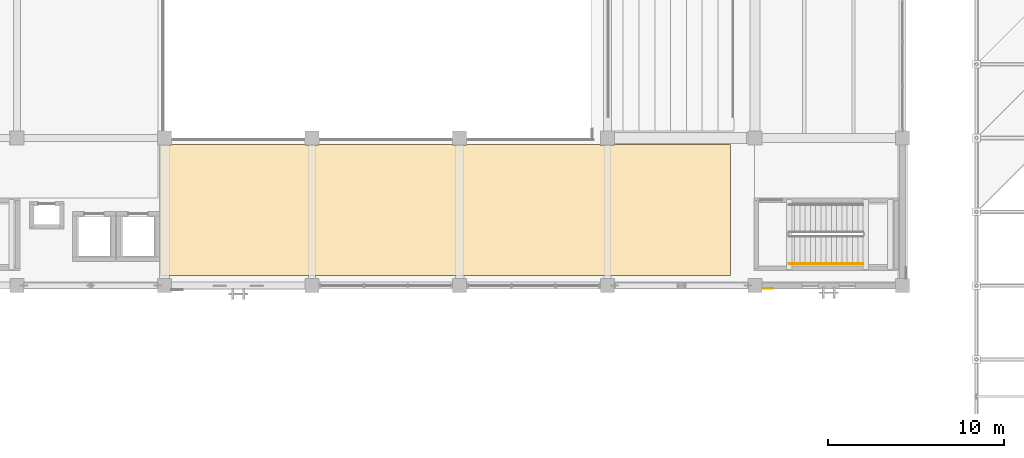
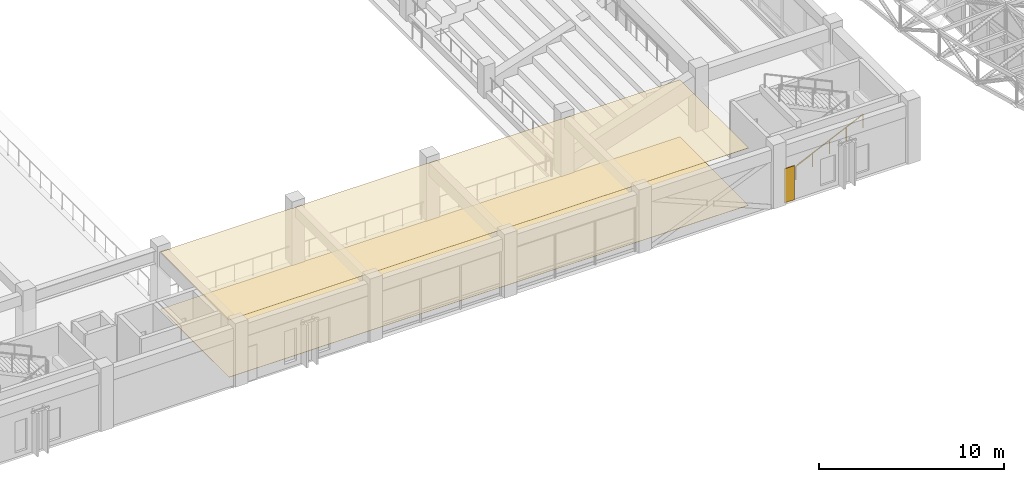
# One storey, part 104 of 132: 3 coverings, 1 railing.
"""IFC4 building model written with IfcOpenShell, lengths in metres."""

from ifc_helpers import new_model, si_unit, direction, frame, origin, origin_2d, place, context, subcontext, project, spatial, polyline, circle, outline, extrude, material, layer, layer_set, type_object, element, save


model = new_model("IFC4")

# Units and contexts
model_context = context("Model", 3, precision=1e-05, world=origin(), true_north=direction((0.0, 1.0)))
body_context = subcontext(model_context, "Body", "Model", "MODEL_VIEW")
ifc_project = project(units=[si_unit("LENGTHUNIT", "METRE"), si_unit("AREAUNIT", "SQUARE_METRE"), si_unit("VOLUMEUNIT", "CUBIC_METRE"), si_unit("PLANEANGLEUNIT", "RADIAN"), si_unit("MASSUNIT", "GRAM", prefix="KILO")], contexts=[model_context])

# Site, building, storey
site_placement = place(None, origin())
site = spatial("IfcSite", under=ifc_project, at=site_placement, CompositionType="ELEMENT")
building_placement = place(site_placement, origin())
building = spatial("IfcBuilding", under=site, at=building_placement, Name="Cumbredor Promenade Congress Hotel", CompositionType="ELEMENT")
storey_placement = place(building_placement, frame((0.0, 0.0, 7.56005859375)))
storey = spatial("IfcBuildingStorey", under=building, at=storey_placement, Name="L02", CompositionType="ELEMENT", Elevation=7.56005859375)

# Coverings
ifc_material_1 = material(Name="Acoustic mineral-fiber and gypsum ceiling")
ifc_layer_1 = layer(ifc_material_1, 0.02197265625, Name="Acoustic mineral-fiber and gypsum ceiling")
ifc_layer_set_1 = layer_set([ifc_layer_1], Name="Acoustic mineral-fiber and gypsum ceiling")
covering_type_1 = type_object("IfcCoveringType", Name="Acoustic Perforated Gypsum Ceiling CLG-02 22mm", PredefinedType="CEILING", material=ifc_layer_set_1)
covering_1_placement = place(storey_placement, frame((0.0, 0.0, 3.77783203125)))
element("IfcCovering", 1, at=covering_1_placement, inside=storey, type_object=covering_type_1, Name="L02 Plenary South Concourse Corridor Acoustic Ceiling", PredefinedType="CEILING", context=body_context, shape_type="SweptSolid", body=[
    extrude(outline(polyline([(24.97998046875, 16.39501953125), (25.60498046875, 16.39501953125), (25.60498046875, 16.419921875), (33.195068359375, 16.419921875), (33.195068359375, 16.39501953125), (34.0048828125, 16.39501953125), (34.0048828125, 16.419921875), (41.594970703125, 16.419921875), (41.594970703125, 16.39501953125), (42.405029296875, 16.39501953125), (42.405029296875, 16.419921875), (49.9951171875, 16.419921875), (49.9951171875, 16.39501953125), (50.804931640625, 16.39501953125), (50.804931640625, 16.419921875), (57.419921875, 16.419921875), (57.419921875, 8.97998046875), (24.97998046875, 8.97998046875), (24.97998046875, 16.39501953125)])), origin(), (0.0, 0.0, 1.0), 0.022216796875),
])
ifc_material_2 = material(Name="Porcelain stoneware tile", Category="masonry")
ifc_layer_2 = layer(ifc_material_2, 0.02001953125, Name="Porcelain stoneware tile", Category="masonry")
ifc_layer_set_2 = layer_set([ifc_layer_2], Name="Porcelain stoneware tile")
covering_type_2 = type_object("IfcCoveringType", Name="Porcelain Stoneware Flooring FLR-01 20mm", PredefinedType="FLOORING", material=ifc_layer_set_2)
covering_2_placement = place(storey_placement, origin())
element("IfcCovering", 2, at=covering_2_placement, inside=storey, type_object=covering_type_2, Name="L02 Plenary South Concourse Corridor Porcelain Flooring", PredefinedType="FLOORING", context=body_context, shape_type="SweptSolid", body=[
    extrude(outline(polyline([(24.97998046875, 16.39501953125), (25.60498046875, 16.39501953125), (25.60498046875, 16.419921875), (33.195068359375, 16.419921875), (33.195068359375, 16.39501953125), (34.0048828125, 16.39501953125), (34.0048828125, 16.419921875), (41.594970703125, 16.419921875), (41.594970703125, 16.39501953125), (42.405029296875, 16.39501953125), (42.405029296875, 16.419921875), (49.9951171875, 16.419921875), (49.9951171875, 16.39501953125), (50.804931640625, 16.39501953125), (50.804931640625, 16.419921875), (57.419921875, 16.419921875), (57.419921875, 8.97998046875), (24.97998046875, 8.97998046875), (24.97998046875, 16.39501953125)])), origin(), (0.0, 0.0, 1.0), 0.02001953125),
])

# Railing
ifc_material_3 = material(Name="Brushed stainless steel", Category="steel")
railing_type = type_object("IfcRailingType", Name="Stair Pitch Handrail HR-900", PredefinedType="HANDRAIL", material=ifc_material_3)
railing_placement = place(storey_placement, frame((60.75, 9.64990234375, 0.139892578125)))
element("IfcRailing", 3, at=railing_placement, inside=storey, type_object=railing_type, Name="L02 ST-05 stair handrail 1", PredefinedType="HANDRAIL", context=body_context, shape_type="SweptSolid", body=[
    extrude(circle(Radius=0.02392578125, at=origin_2d()), frame((0.0, 0.0, 0.8759765625), z_axis=(0.906184485727, 0.0, 0.422882581609), x_axis=(0.0, 1.0, 0.0)), (0.0, 0.0, 1.0), 4.634765625),
    extrude(circle(Radius=0.02099609375, at=origin_2d()), origin(), (0.0, 0.0, 1.0), 0.851806640625),
    extrude(circle(Radius=0.02099609375, at=origin_2d()), frame((1.050048828125, 0.0, 0.489990234375)), (0.0, 0.0, 1.0), 0.851806640625),
    extrude(circle(Radius=0.02099609375, at=origin_2d()), frame((2.10009765625, 0.0, 0.97998046875)), (0.0, 0.0, 1.0), 0.851806640625),
    extrude(circle(Radius=0.02099609375, at=origin_2d()), frame((3.14990234375, 0.0, 1.469970703125)), (0.0, 0.0, 1.0), 0.851806640625),
    extrude(circle(Radius=0.02099609375, at=origin_2d()), frame((4.199951171875, 0.0, 1.9599609375)), (0.0, 0.0, 1.0), 0.851806640625),
])

# Covering
ifc_material_4 = material(Name="Volcanic andesite ashlar cladding", Category="masonry")
ifc_layer_3 = layer(ifc_material_4, 0.034912109375, Name="Volcanic andesite ashlar cladding", Category="masonry")
ifc_layer_set_3 = layer_set([ifc_layer_3], Name="Volcanic andesite ashlar cladding")
covering_type_3 = type_object("IfcCoveringType", Name="Volcanic Andesite Ashlar Rainscreen Cladding 35mm", PredefinedType="CLADDING", material=ifc_layer_set_3)
covering_3_placement = place(storey_placement, origin())
element("IfcCovering", 4, at=covering_3_placement, inside=storey, type_object=covering_type_3, Name="L02 Facade Stone Cladding Pier 095", PredefinedType="CLADDING", context=body_context, shape_type="SweptSolid", body=[
    extrude(outline(polyline([(59.200927734375, 8.25), (59.85107421875, 8.25), (59.85107421875, 8.215087890625), (59.200927734375, 8.215087890625), (59.200927734375, 8.25)])), origin(), (0.0, 0.0, 1.0), 2.25),
])

save(model, "model.ifc")
